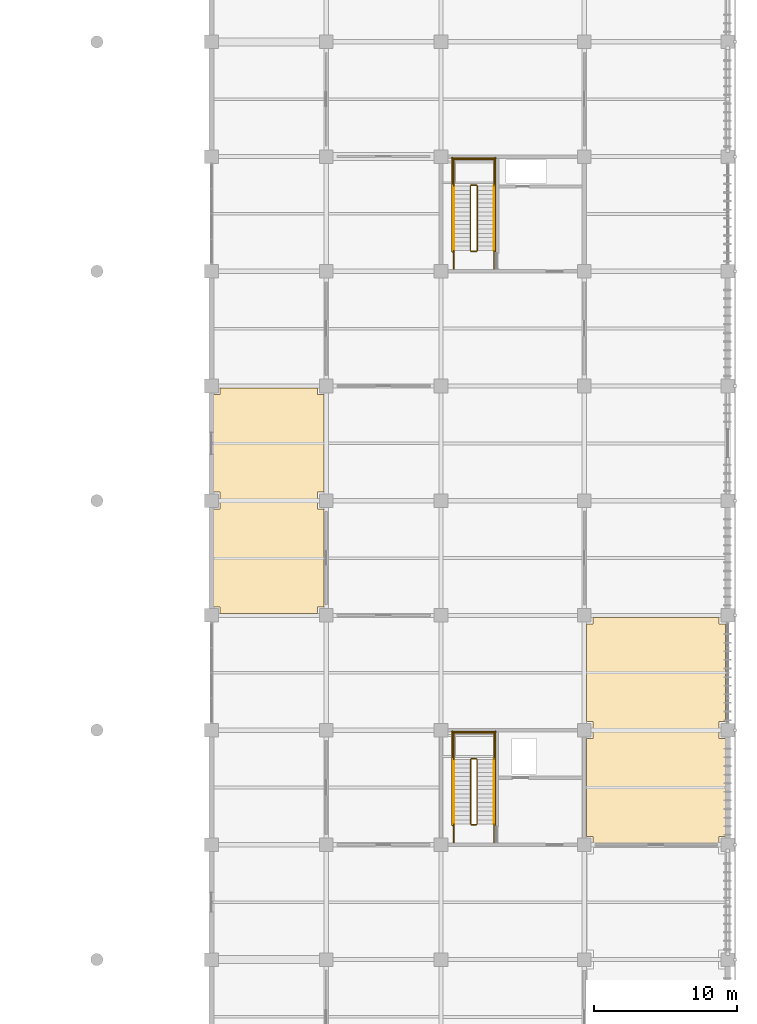
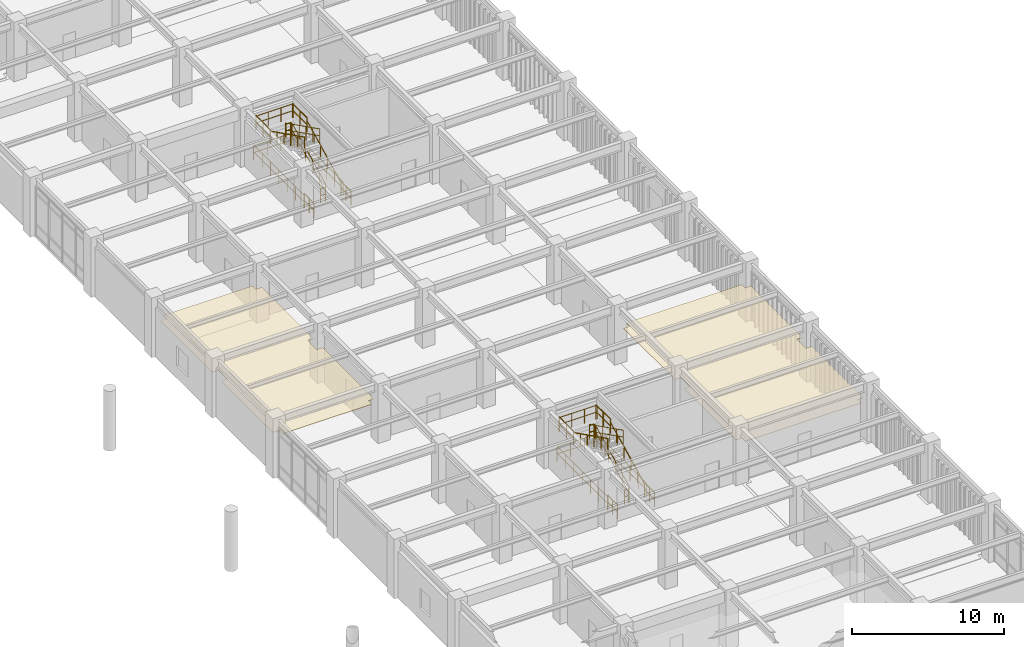
# One storey, part 105 of 109: 28 railings, 2 coverings.
"""IFC4 building model written with IfcOpenShell, lengths in metres."""

from ifc_helpers import new_model, si_unit, direction, frame, origin, origin_2d, place, context, subcontext, project, spatial, polyline, circle, outline, extrude, material, layer, layer_set, type_object, element, save


model = new_model("IFC4")

# Units and contexts
model_context = context("Model", 3, precision=1e-05, world=origin(), true_north=direction((0.0, 1.0)))
body_context = subcontext(model_context, "Body", "Model", "MODEL_VIEW")
ifc_project = project(units=[si_unit("LENGTHUNIT", "METRE"), si_unit("AREAUNIT", "SQUARE_METRE"), si_unit("VOLUMEUNIT", "CUBIC_METRE"), si_unit("PLANEANGLEUNIT", "RADIAN"), si_unit("MASSUNIT", "GRAM", prefix="KILO")], contexts=[model_context])

# Site, building, storey
site_placement = place(None, origin())
site = spatial("IfcSite", under=ifc_project, at=site_placement, CompositionType="ELEMENT")
building_placement = place(site_placement, origin())
building = spatial("IfcBuilding", under=site, at=building_placement, Name="Haebicheon Civic Stadium", CompositionType="ELEMENT")
storey_placement = place(building_placement, frame((0.0, 0.0, 9.60009765625)))
storey = spatial("IfcBuildingStorey", under=building, at=storey_placement, Name="L03", CompositionType="ELEMENT", Elevation=9.60009765625)

# Coverings
ifc_material_1 = material(Name="Perforated mineral-fibre acoustic board", Category="gypsum")
ifc_layer = layer(ifc_material_1, 0.0400390625, Name="Perforated mineral-fibre acoustic board")
ifc_layer_set = layer_set([ifc_layer], Name="Perforated mineral-fibre acoustic board")
covering_type = type_object("IfcCoveringType", Name="COV-CLG-AC", PredefinedType="CEILING", material=ifc_layer_set)
covering_1_placement = place(storey_placement, frame((0.0, 0.0, 2.809814453125)))
element("IfcCovering", 1, at=covering_1_placement, inside=storey, type_object=covering_type, material=ifc_layer_set, Name="L03 Sports Medicine Rehabilitation Clinic acoustic ceiling", PredefinedType="CEILING", context=body_context, shape_type="SweptSolid", body=[
    extrude(outline(polyline([(200.594970703125, 80.14501953125), (200.594970703125, 80.594970703125), (200.14501953125, 80.594970703125), (200.14501953125, 87.405029296875), (200.594970703125, 87.405029296875), (200.594970703125, 88.594970703125), (200.14501953125, 88.594970703125), (200.14501953125, 95.405029296875), (200.594970703125, 95.405029296875), (200.594970703125, 95.85498046875), (207.405029296875, 95.85498046875), (207.405029296875, 95.405029296875), (207.85498046875, 95.405029296875), (207.85498046875, 88.594970703125), (207.405029296875, 88.594970703125), (207.405029296875, 87.405029296875), (207.85498046875, 87.405029296875), (207.85498046875, 80.594970703125), (207.405029296875, 80.594970703125), (207.405029296875, 80.14501953125), (200.594970703125, 80.14501953125)])), origin(), (0.0, 0.0, 1.0), 0.0400390625),
])
covering_2_placement = place(storey_placement, frame((0.0, 0.0, 2.809814453125)))
element("IfcCovering", 2, at=covering_2_placement, inside=storey, type_object=covering_type, material=ifc_layer_set, Name="L03 Youth Sports Classroom acoustic ceiling", PredefinedType="CEILING", context=body_context, shape_type="SweptSolid", body=[
    extrude(outline(polyline([(226.594970703125, 64.14501953125), (226.594970703125, 64.594970703125), (226.14501953125, 64.594970703125), (226.14501953125, 71.405029296875), (226.594970703125, 71.405029296875), (226.594970703125, 72.594970703125), (226.14501953125, 72.594970703125), (226.14501953125, 79.405029296875), (226.594970703125, 79.405029296875), (226.594970703125, 79.85498046875), (235.405029296875, 79.85498046875), (235.405029296875, 79.405029296875), (235.85498046875, 79.405029296875), (235.85498046875, 72.594970703125), (235.405029296875, 72.594970703125), (235.405029296875, 71.405029296875), (235.85498046875, 71.405029296875), (235.85498046875, 64.594970703125), (235.405029296875, 64.594970703125), (235.405029296875, 64.14501953125), (226.594970703125, 64.14501953125)])), origin(), (0.0, 0.0, 1.0), 0.0400390625),
])

# Railings
ifc_material_2 = material(Name="Galvanised painted steel SM355", Category="steel")
railing_type_1 = type_object("IfcRailingType", Name="RL-GRD-1150", PredefinedType="GUARDRAIL", material=ifc_material_2)
railing_1_placement = place(storey_placement, frame((218.510009765625, 65.449951171875, 0.14990234375)))
element("IfcRailing", 3, at=railing_1_placement, inside=storey, type_object=railing_type_1, material=ifc_material_2, Name="L03 ST-12 stair guard 1", PredefinedType="GUARDRAIL", context=body_context, shape_type="SweptSolid", body=[
    extrude(circle(Radius=0.02392578125, at=origin_2d()), frame((0.0, 0.0, 1.1259765625), z_axis=(0.0, 0.894427191, 0.4472135955), x_axis=(-1.0, 0.0, 0.0)), (0.0, 0.0, 1.0), 5.03125),
    extrude(circle(Radius=0.02392578125, at=origin_2d()), frame((0.0, 0.0, 0.574951171875), z_axis=(0.0, 0.894427191, 0.4472135955), x_axis=(-1.0, 0.0, 0.0)), (0.0, 0.0, 1.0), 5.03125),
    extrude(circle(Radius=0.02099609375, at=origin_2d()), origin(), (0.0, 0.0, 1.0), 1.101806640625),
    extrude(circle(Radius=0.02099609375, at=origin_2d()), frame((0.0, 0.89990234375, 0.449951171875)), (0.0, 0.0, 1.0), 1.101806640625),
    extrude(circle(Radius=0.02099609375, at=origin_2d()), frame((0.0, 1.800048828125, 0.89990234375)), (0.0, 0.0, 1.0), 1.101806640625),
    extrude(circle(Radius=0.02099609375, at=origin_2d()), frame((0.0, 2.699951171875, 1.35009765625)), (0.0, 0.0, 1.0), 1.101806640625),
    extrude(circle(Radius=0.02099609375, at=origin_2d()), frame((0.0, 3.60009765625, 1.800048828125)), (0.0, 0.0, 1.0), 1.101806640625),
    extrude(circle(Radius=0.02099609375, at=origin_2d()), frame((0.0, 4.5, 2.25)), (0.0, 0.0, 1.0), 1.101806640625),
])
railing_2_placement = place(storey_placement, frame((218.4599609375, 70.0, 2.39990234375)))
element("IfcRailing", 4, at=railing_2_placement, inside=storey, type_object=railing_type_1, material=ifc_material_2, Name="L03 ST-12 stair guard 2", PredefinedType="GUARDRAIL", context=body_context, shape_type="SweptSolid", body=[
    extrude(circle(Radius=0.02392578125, at=origin_2d()), frame((0.0, 0.0, 1.1259765625), z_axis=(-1.0, 0.0, 0.0), x_axis=(0.0, -1.0, 0.0)), (0.0, 0.0, 1.0), 0.33984375),
    extrude(circle(Radius=0.02392578125, at=origin_2d()), frame((0.0, 0.0, 0.574951171875), z_axis=(-1.0, 0.0, 0.0), x_axis=(0.0, -1.0, 0.0)), (0.0, 0.0, 1.0), 0.33984375),
    extrude(circle(Radius=0.02099609375, at=origin_2d()), origin(), (0.0, 0.0, 1.0), 1.101806640625),
    extrude(circle(Radius=0.02099609375, at=origin_2d()), frame((-0.33984375, 0.0, 0.0)), (0.0, 0.0, 1.0), 1.101806640625),
])
for number, where, name in (
    (5, (219.68994140625, 69.949951171875, 2.39990234375), "L03 ST-12 stair guard 3"),
    (6, (216.889892578125, 69.949951171875, 2.39990234375), "L03 ST-12 stair guard 4"),
):
    element("IfcRailing", number, at=place(storey_placement, frame(where)), inside=storey, type_object=railing_type_1, material=ifc_material_2, Name=name, PredefinedType="GUARDRAIL", context=body_context, shape_type="SweptSolid", body=[
        extrude(circle(Radius=0.02392578125, at=origin_2d()), frame((0.0, 0.0, 1.1259765625), z_axis=(0.0, 1.0, 0.0), x_axis=(-1.0, 0.0, 0.0)), (0.0, 0.0, 1.0), 1.89013671875),
        extrude(circle(Radius=0.02392578125, at=origin_2d()), frame((0.0, 0.0, 0.574951171875), z_axis=(0.0, 1.0, 0.0), x_axis=(-1.0, 0.0, 0.0)), (0.0, 0.0, 1.0), 1.89013671875),
        extrude(circle(Radius=0.02099609375, at=origin_2d()), origin(), (0.0, 0.0, 1.0), 1.101806640625),
        extrude(circle(Radius=0.02099609375, at=origin_2d()), frame((0.0, 0.945068359375, 0.0)), (0.0, 0.0, 1.0), 1.101806640625),
        extrude(circle(Radius=0.02099609375, at=origin_2d()), frame((0.0, 1.89013671875, 0.0)), (0.0, 0.0, 1.0), 1.101806640625),
    ])
railing_3_placement = place(storey_placement, frame((219.739990234375, 71.7900390625, 2.39990234375)))
element("IfcRailing", 7, at=railing_3_placement, inside=storey, type_object=railing_type_1, material=ifc_material_2, Name="L03 ST-12 stair guard 5", PredefinedType="GUARDRAIL", context=body_context, shape_type="SweptSolid", body=[
    extrude(circle(Radius=0.02392578125, at=origin_2d()), frame((0.0, 0.0, 1.1259765625), z_axis=(-1.0, 0.0, 0.0), x_axis=(0.0, -1.0, 0.0)), (0.0, 0.0, 1.0), 2.89990234375),
    extrude(circle(Radius=0.02392578125, at=origin_2d()), frame((0.0, 0.0, 0.574951171875), z_axis=(-1.0, 0.0, 0.0), x_axis=(0.0, -1.0, 0.0)), (0.0, 0.0, 1.0), 2.89990234375),
    extrude(circle(Radius=0.02099609375, at=origin_2d()), origin(), (0.0, 0.0, 1.0), 1.101806640625),
    extrude(circle(Radius=0.02099609375, at=origin_2d()), frame((-0.966552734375, 0.0, 0.0)), (0.0, 0.0, 1.0), 1.101806640625),
    extrude(circle(Radius=0.02099609375, at=origin_2d()), frame((-1.933349609375, 0.0, 0.0)), (0.0, 0.0, 1.0), 1.101806640625),
    extrude(circle(Radius=0.02099609375, at=origin_2d()), frame((-2.89990234375, 0.0, 0.0)), (0.0, 0.0, 1.0), 1.101806640625),
])
railing_4_placement = place(storey_placement, frame((218.070068359375, 69.949951171875, 2.5498046875)))
element("IfcRailing", 8, at=railing_4_placement, inside=storey, type_object=railing_type_1, material=ifc_material_2, Name="L03 ST-12 stair guard 6", PredefinedType="GUARDRAIL", context=body_context, shape_type="SweptSolid", body=[
    extrude(circle(Radius=0.02392578125, at=origin_2d()), frame((0.0, 0.0, 1.1259765625), z_axis=(0.0, -0.894427191, 0.4472135955), x_axis=(1.0, 0.0, 0.0)), (0.0, 0.0, 1.0), 5.03125),
    extrude(circle(Radius=0.02392578125, at=origin_2d()), frame((0.0, 0.0, 0.574951171875), z_axis=(0.0, -0.894427191, 0.4472135955), x_axis=(1.0, 0.0, 0.0)), (0.0, 0.0, 1.0), 5.03125),
    extrude(circle(Radius=0.02099609375, at=origin_2d()), origin(), (0.0, 0.0, 1.0), 1.101806640625),
    extrude(circle(Radius=0.02099609375, at=origin_2d()), frame((0.0, -0.89990234375, 0.449951171875)), (0.0, 0.0, 1.0), 1.101806640625),
    extrude(circle(Radius=0.02099609375, at=origin_2d()), frame((0.0, -1.800048828125, 0.89990234375)), (0.0, 0.0, 1.0), 1.101806640625),
    extrude(circle(Radius=0.02099609375, at=origin_2d()), frame((0.0, -2.699951171875, 1.35009765625)), (0.0, 0.0, 1.0), 1.101806640625),
    extrude(circle(Radius=0.02099609375, at=origin_2d()), frame((0.0, -3.60009765625, 1.800048828125)), (0.0, 0.0, 1.0), 1.101806640625),
    extrude(circle(Radius=0.02099609375, at=origin_2d()), frame((0.0, -4.5, 2.25)), (0.0, 0.0, 1.0), 1.101806640625),
])
railing_5_placement = place(storey_placement, frame((218.4599609375, 65.39990234375, 0.0)))
element("IfcRailing", 9, at=railing_5_placement, inside=storey, type_object=railing_type_1, material=ifc_material_2, Name="L03 ST-12 stair guard 7", PredefinedType="GUARDRAIL", context=body_context, shape_type="SweptSolid", body=[
    extrude(circle(Radius=0.02392578125, at=origin_2d()), frame((0.0, 0.0, 1.1259765625), z_axis=(-1.0, 0.0, 0.0), x_axis=(0.0, -1.0, 0.0)), (0.0, 0.0, 1.0), 0.33984375),
    extrude(circle(Radius=0.02392578125, at=origin_2d()), frame((0.0, 0.0, 0.574951171875), z_axis=(-1.0, 0.0, 0.0), x_axis=(0.0, -1.0, 0.0)), (0.0, 0.0, 1.0), 0.33984375),
    extrude(circle(Radius=0.02099609375, at=origin_2d()), origin(), (0.0, 0.0, 1.0), 1.101806640625),
    extrude(circle(Radius=0.02099609375, at=origin_2d()), frame((-0.33984375, 0.0, 0.0)), (0.0, 0.0, 1.0), 1.101806640625),
])
for number, where, name in (
    (10, (219.68994140625, 64.159912109375, 0.0), "L03 ST-12 stair guard 8"),
    (11, (216.889892578125, 64.159912109375, 0.0), "L03 ST-12 stair guard 9"),
):
    element("IfcRailing", number, at=place(storey_placement, frame(where)), inside=storey, type_object=railing_type_1, material=ifc_material_2, Name=name, PredefinedType="GUARDRAIL", context=body_context, shape_type="SweptSolid", body=[
        extrude(circle(Radius=0.02392578125, at=origin_2d()), frame((0.0, 0.0, 1.1259765625), z_axis=(0.0, 1.0, 0.0), x_axis=(-1.0, 0.0, 0.0)), (0.0, 0.0, 1.0), 1.2900390625),
        extrude(circle(Radius=0.02392578125, at=origin_2d()), frame((0.0, 0.0, 0.574951171875), z_axis=(0.0, 1.0, 0.0), x_axis=(-1.0, 0.0, 0.0)), (0.0, 0.0, 1.0), 1.2900390625),
        extrude(circle(Radius=0.02099609375, at=origin_2d()), origin(), (0.0, 0.0, 1.0), 1.101806640625),
        extrude(circle(Radius=0.02099609375, at=origin_2d()), frame((0.0, 0.64501953125, 0.0)), (0.0, 0.0, 1.0), 1.101806640625),
        extrude(circle(Radius=0.02099609375, at=origin_2d()), frame((0.0, 1.2900390625, 0.0)), (0.0, 0.0, 1.0), 1.101806640625),
    ])
for number, where, name in (
    (12, (219.7900390625, 65.35009765625, 0.0), "L03 ST-12 stair guard 10"),
    (13, (216.7900390625, 65.35009765625, 0.0), "L03 ST-12 stair guard 11"),
):
    element("IfcRailing", number, at=place(storey_placement, frame(where)), inside=storey, type_object=railing_type_1, material=ifc_material_2, Name=name, PredefinedType="GUARDRAIL", context=body_context, shape_type="SweptSolid", body=[
        extrude(circle(Radius=0.02392578125, at=origin_2d()), frame((0.0, 0.0, 1.1259765625), z_axis=(0.0, 1.0, 0.0), x_axis=(-1.0, 0.0, 0.0)), (0.0, 0.0, 1.0), 6.58984375),
        extrude(circle(Radius=0.02392578125, at=origin_2d()), frame((0.0, 0.0, 0.574951171875), z_axis=(0.0, 1.0, 0.0), x_axis=(-1.0, 0.0, 0.0)), (0.0, 0.0, 1.0), 6.58984375),
        extrude(circle(Radius=0.02099609375, at=origin_2d()), origin(), (0.0, 0.0, 1.0), 1.101806640625),
        extrude(circle(Radius=0.02099609375, at=origin_2d()), frame((0.0, 1.098388671875, 0.0)), (0.0, 0.0, 1.0), 1.101806640625),
        extrude(circle(Radius=0.02099609375, at=origin_2d()), frame((0.0, 2.196533203125, 0.0)), (0.0, 0.0, 1.0), 1.101806640625),
        extrude(circle(Radius=0.02099609375, at=origin_2d()), frame((0.0, 3.294921875, 0.0)), (0.0, 0.0, 1.0), 1.101806640625),
        extrude(circle(Radius=0.02099609375, at=origin_2d()), frame((0.0, 4.393310546875, 0.0)), (0.0, 0.0, 1.0), 1.101806640625),
        extrude(circle(Radius=0.02099609375, at=origin_2d()), frame((0.0, 5.491455078125, 0.0)), (0.0, 0.0, 1.0), 1.101806640625),
        extrude(circle(Radius=0.02099609375, at=origin_2d()), frame((0.0, 6.58984375, 0.0)), (0.0, 0.0, 1.0), 1.101806640625),
    ])
railing_6_placement = place(storey_placement, frame((219.840087890625, 71.889892578125, 0.0)))
element("IfcRailing", 14, at=railing_6_placement, inside=storey, type_object=railing_type_1, material=ifc_material_2, Name="L03 ST-12 stair guard 12", PredefinedType="GUARDRAIL", context=body_context, shape_type="SweptSolid", body=[
    extrude(circle(Radius=0.02392578125, at=origin_2d()), frame((0.0, 0.0, 1.1259765625), z_axis=(-1.0, 0.0, 0.0), x_axis=(0.0, -1.0, 0.0)), (0.0, 0.0, 1.0), 3.10009765625),
    extrude(circle(Radius=0.02392578125, at=origin_2d()), frame((0.0, 0.0, 0.574951171875), z_axis=(-1.0, 0.0, 0.0), x_axis=(0.0, -1.0, 0.0)), (0.0, 0.0, 1.0), 3.10009765625),
    extrude(circle(Radius=0.02099609375, at=origin_2d()), origin(), (0.0, 0.0, 1.0), 1.101806640625),
    extrude(circle(Radius=0.02099609375, at=origin_2d()), frame((-1.033447265625, 0.0, 0.0)), (0.0, 0.0, 1.0), 1.101806640625),
    extrude(circle(Radius=0.02099609375, at=origin_2d()), frame((-2.066650390625, 0.0, 0.0)), (0.0, 0.0, 1.0), 1.101806640625),
    extrude(circle(Radius=0.02099609375, at=origin_2d()), frame((-3.10009765625, 0.0, 0.0)), (0.0, 0.0, 1.0), 1.101806640625),
])
railing_7_placement = place(storey_placement, frame((218.530029296875, 105.449951171875, 0.14990234375)))
element("IfcRailing", 15, at=railing_7_placement, inside=storey, type_object=railing_type_1, material=ifc_material_2, Name="L03 ST-13 stair guard 1", PredefinedType="GUARDRAIL", context=body_context, shape_type="SweptSolid", body=[
    extrude(circle(Radius=0.02392578125, at=origin_2d()), frame((0.0, 0.0, 1.1259765625), z_axis=(0.0, 0.894427191, 0.4472135955), x_axis=(-1.0, 0.0, 0.0)), (0.0, 0.0, 1.0), 5.03125),
    extrude(circle(Radius=0.02392578125, at=origin_2d()), frame((0.0, 0.0, 0.574951171875), z_axis=(0.0, 0.894427191, 0.4472135955), x_axis=(-1.0, 0.0, 0.0)), (0.0, 0.0, 1.0), 5.03125),
    extrude(circle(Radius=0.02099609375, at=origin_2d()), origin(), (0.0, 0.0, 1.0), 1.101806640625),
    extrude(circle(Radius=0.02099609375, at=origin_2d()), frame((0.0, 0.89990234375, 0.449951171875)), (0.0, 0.0, 1.0), 1.101806640625),
    extrude(circle(Radius=0.02099609375, at=origin_2d()), frame((0.0, 1.800048828125, 0.89990234375)), (0.0, 0.0, 1.0), 1.101806640625),
    extrude(circle(Radius=0.02099609375, at=origin_2d()), frame((0.0, 2.699951171875, 1.35009765625)), (0.0, 0.0, 1.0), 1.101806640625),
    extrude(circle(Radius=0.02099609375, at=origin_2d()), frame((0.0, 3.60009765625, 1.800048828125)), (0.0, 0.0, 1.0), 1.101806640625),
    extrude(circle(Radius=0.02099609375, at=origin_2d()), frame((0.0, 4.5, 2.25)), (0.0, 0.0, 1.0), 1.101806640625),
])
railing_8_placement = place(storey_placement, frame((218.47998046875, 110.0, 2.39990234375)))
element("IfcRailing", 16, at=railing_8_placement, inside=storey, type_object=railing_type_1, material=ifc_material_2, Name="L03 ST-13 stair guard 2", PredefinedType="GUARDRAIL", context=body_context, shape_type="SweptSolid", body=[
    extrude(circle(Radius=0.02392578125, at=origin_2d()), frame((0.0, 0.0, 1.1259765625), z_axis=(-1.0, 0.0, 0.0), x_axis=(0.0, -1.0, 0.0)), (0.0, 0.0, 1.0), 0.3798828125),
    extrude(circle(Radius=0.02392578125, at=origin_2d()), frame((0.0, 0.0, 0.574951171875), z_axis=(-1.0, 0.0, 0.0), x_axis=(0.0, -1.0, 0.0)), (0.0, 0.0, 1.0), 0.3798828125),
    extrude(circle(Radius=0.02099609375, at=origin_2d()), origin(), (0.0, 0.0, 1.0), 1.101806640625),
    extrude(circle(Radius=0.02099609375, at=origin_2d()), frame((-0.3798828125, 0.0, 0.0)), (0.0, 0.0, 1.0), 1.101806640625),
])
for number, where, name in (
    (17, (219.68994140625, 109.949951171875, 2.39990234375), "L03 ST-13 stair guard 3"),
    (18, (216.889892578125, 109.949951171875, 2.39990234375), "L03 ST-13 stair guard 4"),
):
    element("IfcRailing", number, at=place(storey_placement, frame(where)), inside=storey, type_object=railing_type_1, material=ifc_material_2, Name=name, PredefinedType="GUARDRAIL", context=body_context, shape_type="SweptSolid", body=[
        extrude(circle(Radius=0.02392578125, at=origin_2d()), frame((0.0, 0.0, 1.1259765625), z_axis=(0.0, 1.0, 0.0), x_axis=(-1.0, 0.0, 0.0)), (0.0, 0.0, 1.0), 1.89013671875),
        extrude(circle(Radius=0.02392578125, at=origin_2d()), frame((0.0, 0.0, 0.574951171875), z_axis=(0.0, 1.0, 0.0), x_axis=(-1.0, 0.0, 0.0)), (0.0, 0.0, 1.0), 1.89013671875),
        extrude(circle(Radius=0.02099609375, at=origin_2d()), origin(), (0.0, 0.0, 1.0), 1.101806640625),
        extrude(circle(Radius=0.02099609375, at=origin_2d()), frame((0.0, 0.945068359375, 0.0)), (0.0, 0.0, 1.0), 1.101806640625),
        extrude(circle(Radius=0.02099609375, at=origin_2d()), frame((0.0, 1.89013671875, 0.0)), (0.0, 0.0, 1.0), 1.101806640625),
    ])
railing_9_placement = place(storey_placement, frame((219.739990234375, 111.7900390625, 2.39990234375)))
element("IfcRailing", 19, at=railing_9_placement, inside=storey, type_object=railing_type_1, material=ifc_material_2, Name="L03 ST-13 stair guard 5", PredefinedType="GUARDRAIL", context=body_context, shape_type="SweptSolid", body=[
    extrude(circle(Radius=0.02392578125, at=origin_2d()), frame((0.0, 0.0, 1.1259765625), z_axis=(-1.0, 0.0, 0.0), x_axis=(0.0, -1.0, 0.0)), (0.0, 0.0, 1.0), 2.89990234375),
    extrude(circle(Radius=0.02392578125, at=origin_2d()), frame((0.0, 0.0, 0.574951171875), z_axis=(-1.0, 0.0, 0.0), x_axis=(0.0, -1.0, 0.0)), (0.0, 0.0, 1.0), 2.89990234375),
    extrude(circle(Radius=0.02099609375, at=origin_2d()), origin(), (0.0, 0.0, 1.0), 1.101806640625),
    extrude(circle(Radius=0.02099609375, at=origin_2d()), frame((-0.966552734375, 0.0, 0.0)), (0.0, 0.0, 1.0), 1.101806640625),
    extrude(circle(Radius=0.02099609375, at=origin_2d()), frame((-1.933349609375, 0.0, 0.0)), (0.0, 0.0, 1.0), 1.101806640625),
    extrude(circle(Radius=0.02099609375, at=origin_2d()), frame((-2.89990234375, 0.0, 0.0)), (0.0, 0.0, 1.0), 1.101806640625),
])
railing_10_placement = place(storey_placement, frame((218.050048828125, 109.949951171875, 2.5498046875)))
element("IfcRailing", 20, at=railing_10_placement, inside=storey, type_object=railing_type_1, material=ifc_material_2, Name="L03 ST-13 stair guard 6", PredefinedType="GUARDRAIL", context=body_context, shape_type="SweptSolid", body=[
    extrude(circle(Radius=0.02392578125, at=origin_2d()), frame((0.0, 0.0, 1.1259765625), z_axis=(0.0, -0.894427191, 0.4472135955), x_axis=(1.0, 0.0, 0.0)), (0.0, 0.0, 1.0), 5.03125),
    extrude(circle(Radius=0.02392578125, at=origin_2d()), frame((0.0, 0.0, 0.574951171875), z_axis=(0.0, -0.894427191, 0.4472135955), x_axis=(1.0, 0.0, 0.0)), (0.0, 0.0, 1.0), 5.03125),
    extrude(circle(Radius=0.02099609375, at=origin_2d()), origin(), (0.0, 0.0, 1.0), 1.101806640625),
    extrude(circle(Radius=0.02099609375, at=origin_2d()), frame((0.0, -0.89990234375, 0.449951171875)), (0.0, 0.0, 1.0), 1.101806640625),
    extrude(circle(Radius=0.02099609375, at=origin_2d()), frame((0.0, -1.800048828125, 0.89990234375)), (0.0, 0.0, 1.0), 1.101806640625),
    extrude(circle(Radius=0.02099609375, at=origin_2d()), frame((0.0, -2.699951171875, 1.35009765625)), (0.0, 0.0, 1.0), 1.101806640625),
    extrude(circle(Radius=0.02099609375, at=origin_2d()), frame((0.0, -3.60009765625, 1.800048828125)), (0.0, 0.0, 1.0), 1.101806640625),
    extrude(circle(Radius=0.02099609375, at=origin_2d()), frame((0.0, -4.5, 2.25)), (0.0, 0.0, 1.0), 1.101806640625),
])
railing_11_placement = place(storey_placement, frame((218.47998046875, 105.39990234375, 0.0)))
element("IfcRailing", 21, at=railing_11_placement, inside=storey, type_object=railing_type_1, material=ifc_material_2, Name="L03 ST-13 stair guard 7", PredefinedType="GUARDRAIL", context=body_context, shape_type="SweptSolid", body=[
    extrude(circle(Radius=0.02392578125, at=origin_2d()), frame((0.0, 0.0, 1.1259765625), z_axis=(-1.0, 0.0, 0.0), x_axis=(0.0, -1.0, 0.0)), (0.0, 0.0, 1.0), 0.3798828125),
    extrude(circle(Radius=0.02392578125, at=origin_2d()), frame((0.0, 0.0, 0.574951171875), z_axis=(-1.0, 0.0, 0.0), x_axis=(0.0, -1.0, 0.0)), (0.0, 0.0, 1.0), 0.3798828125),
    extrude(circle(Radius=0.02099609375, at=origin_2d()), origin(), (0.0, 0.0, 1.0), 1.101806640625),
    extrude(circle(Radius=0.02099609375, at=origin_2d()), frame((-0.3798828125, 0.0, 0.0)), (0.0, 0.0, 1.0), 1.101806640625),
])
for number, where, name in (
    (22, (219.68994140625, 104.159912109375, 0.0), "L03 ST-13 stair guard 8"),
    (23, (216.889892578125, 104.159912109375, 0.0), "L03 ST-13 stair guard 9"),
):
    element("IfcRailing", number, at=place(storey_placement, frame(where)), inside=storey, type_object=railing_type_1, material=ifc_material_2, Name=name, PredefinedType="GUARDRAIL", context=body_context, shape_type="SweptSolid", body=[
        extrude(circle(Radius=0.02392578125, at=origin_2d()), frame((0.0, 0.0, 1.1259765625), z_axis=(0.0, 1.0, 0.0), x_axis=(-1.0, 0.0, 0.0)), (0.0, 0.0, 1.0), 1.2900390625),
        extrude(circle(Radius=0.02392578125, at=origin_2d()), frame((0.0, 0.0, 0.574951171875), z_axis=(0.0, 1.0, 0.0), x_axis=(-1.0, 0.0, 0.0)), (0.0, 0.0, 1.0), 1.2900390625),
        extrude(circle(Radius=0.02099609375, at=origin_2d()), origin(), (0.0, 0.0, 1.0), 1.101806640625),
        extrude(circle(Radius=0.02099609375, at=origin_2d()), frame((0.0, 0.64501953125, 0.0)), (0.0, 0.0, 1.0), 1.101806640625),
        extrude(circle(Radius=0.02099609375, at=origin_2d()), frame((0.0, 1.2900390625, 0.0)), (0.0, 0.0, 1.0), 1.101806640625),
    ])
for number, where, name in (
    (24, (219.7900390625, 105.35009765625, 0.0), "L03 ST-13 stair guard 10"),
    (25, (216.7900390625, 105.35009765625, 0.0), "L03 ST-13 stair guard 11"),
):
    element("IfcRailing", number, at=place(storey_placement, frame(where)), inside=storey, type_object=railing_type_1, material=ifc_material_2, Name=name, PredefinedType="GUARDRAIL", context=body_context, shape_type="SweptSolid", body=[
        extrude(circle(Radius=0.02392578125, at=origin_2d()), frame((0.0, 0.0, 1.1259765625), z_axis=(0.0, 1.0, 0.0), x_axis=(-1.0, 0.0, 0.0)), (0.0, 0.0, 1.0), 6.58984375),
        extrude(circle(Radius=0.02392578125, at=origin_2d()), frame((0.0, 0.0, 0.574951171875), z_axis=(0.0, 1.0, 0.0), x_axis=(-1.0, 0.0, 0.0)), (0.0, 0.0, 1.0), 6.58984375),
        extrude(circle(Radius=0.02099609375, at=origin_2d()), origin(), (0.0, 0.0, 1.0), 1.101806640625),
        extrude(circle(Radius=0.02099609375, at=origin_2d()), frame((0.0, 1.098388671875, 0.0)), (0.0, 0.0, 1.0), 1.101806640625),
        extrude(circle(Radius=0.02099609375, at=origin_2d()), frame((0.0, 2.196533203125, 0.0)), (0.0, 0.0, 1.0), 1.101806640625),
        extrude(circle(Radius=0.02099609375, at=origin_2d()), frame((0.0, 3.294921875, 0.0)), (0.0, 0.0, 1.0), 1.101806640625),
        extrude(circle(Radius=0.02099609375, at=origin_2d()), frame((0.0, 4.393310546875, 0.0)), (0.0, 0.0, 1.0), 1.101806640625),
        extrude(circle(Radius=0.02099609375, at=origin_2d()), frame((0.0, 5.491455078125, 0.0)), (0.0, 0.0, 1.0), 1.101806640625),
        extrude(circle(Radius=0.02099609375, at=origin_2d()), frame((0.0, 6.58984375, 0.0)), (0.0, 0.0, 1.0), 1.101806640625),
    ])
railing_12_placement = place(storey_placement, frame((219.840087890625, 111.889892578125, 0.0)))
element("IfcRailing", 26, at=railing_12_placement, inside=storey, type_object=railing_type_1, material=ifc_material_2, Name="L03 ST-13 stair guard 12", PredefinedType="GUARDRAIL", context=body_context, shape_type="SweptSolid", body=[
    extrude(circle(Radius=0.02392578125, at=origin_2d()), frame((0.0, 0.0, 1.1259765625), z_axis=(-1.0, 0.0, 0.0), x_axis=(0.0, -1.0, 0.0)), (0.0, 0.0, 1.0), 3.10009765625),
    extrude(circle(Radius=0.02392578125, at=origin_2d()), frame((0.0, 0.0, 0.574951171875), z_axis=(-1.0, 0.0, 0.0), x_axis=(0.0, -1.0, 0.0)), (0.0, 0.0, 1.0), 3.10009765625),
    extrude(circle(Radius=0.02099609375, at=origin_2d()), origin(), (0.0, 0.0, 1.0), 1.101806640625),
    extrude(circle(Radius=0.02099609375, at=origin_2d()), frame((-1.033447265625, 0.0, 0.0)), (0.0, 0.0, 1.0), 1.101806640625),
    extrude(circle(Radius=0.02099609375, at=origin_2d()), frame((-2.066650390625, 0.0, 0.0)), (0.0, 0.0, 1.0), 1.101806640625),
    extrude(circle(Radius=0.02099609375, at=origin_2d()), frame((-3.10009765625, 0.0, 0.0)), (0.0, 0.0, 1.0), 1.101806640625),
])
ifc_material_3 = material(Name="Stainless steel 316", Category="steel")
railing_type_2 = type_object("IfcRailingType", Name="RL-HND-900", PredefinedType="HANDRAIL", material=ifc_material_3)
railing_13_placement = place(storey_placement, frame((219.68994140625, 65.449951171875, 0.14990234375)))
element("IfcRailing", 27, at=railing_13_placement, inside=storey, type_object=railing_type_2, material=ifc_material_3, Name="L03 ST-12 stair handrail 1", PredefinedType="HANDRAIL", context=body_context, shape_type="SweptSolid", body=[
    extrude(circle(Radius=0.02392578125, at=origin_2d()), frame((0.0, 0.0, 0.8759765625), z_axis=(0.0, 0.894427191, 0.4472135955), x_axis=(-1.0, 0.0, 0.0)), (0.0, 0.0, 1.0), 5.03125),
    extrude(circle(Radius=0.02099609375, at=origin_2d()), origin(), (0.0, 0.0, 1.0), 0.851806640625),
    extrude(circle(Radius=0.02099609375, at=origin_2d()), frame((0.0, 0.89990234375, 0.449951171875)), (0.0, 0.0, 1.0), 0.851806640625),
    extrude(circle(Radius=0.02099609375, at=origin_2d()), frame((0.0, 1.800048828125, 0.89990234375)), (0.0, 0.0, 1.0), 0.851806640625),
    extrude(circle(Radius=0.02099609375, at=origin_2d()), frame((0.0, 2.699951171875, 1.35009765625)), (0.0, 0.0, 1.0), 0.851806640625),
    extrude(circle(Radius=0.02099609375, at=origin_2d()), frame((0.0, 3.60009765625, 1.800048828125)), (0.0, 0.0, 1.0), 0.851806640625),
    extrude(circle(Radius=0.02099609375, at=origin_2d()), frame((0.0, 4.5, 2.25)), (0.0, 0.0, 1.0), 0.851806640625),
])
railing_14_placement = place(storey_placement, frame((216.889892578125, 69.949951171875, 2.5498046875)))
element("IfcRailing", 28, at=railing_14_placement, inside=storey, type_object=railing_type_2, material=ifc_material_3, Name="L03 ST-12 stair handrail 2", PredefinedType="HANDRAIL", context=body_context, shape_type="SweptSolid", body=[
    extrude(circle(Radius=0.02392578125, at=origin_2d()), frame((0.0, 0.0, 0.8759765625), z_axis=(0.0, -0.894427191, 0.4472135955), x_axis=(1.0, 0.0, 0.0)), (0.0, 0.0, 1.0), 5.03125),
    extrude(circle(Radius=0.02099609375, at=origin_2d()), origin(), (0.0, 0.0, 1.0), 0.851806640625),
    extrude(circle(Radius=0.02099609375, at=origin_2d()), frame((0.0, -0.89990234375, 0.449951171875)), (0.0, 0.0, 1.0), 0.851806640625),
    extrude(circle(Radius=0.02099609375, at=origin_2d()), frame((0.0, -1.800048828125, 0.89990234375)), (0.0, 0.0, 1.0), 0.851806640625),
    extrude(circle(Radius=0.02099609375, at=origin_2d()), frame((0.0, -2.699951171875, 1.35009765625)), (0.0, 0.0, 1.0), 0.851806640625),
    extrude(circle(Radius=0.02099609375, at=origin_2d()), frame((0.0, -3.60009765625, 1.800048828125)), (0.0, 0.0, 1.0), 0.851806640625),
    extrude(circle(Radius=0.02099609375, at=origin_2d()), frame((0.0, -4.5, 2.25)), (0.0, 0.0, 1.0), 0.851806640625),
])
railing_15_placement = place(storey_placement, frame((219.68994140625, 105.449951171875, 0.14990234375)))
element("IfcRailing", 29, at=railing_15_placement, inside=storey, type_object=railing_type_2, material=ifc_material_3, Name="L03 ST-13 stair handrail 1", PredefinedType="HANDRAIL", context=body_context, shape_type="SweptSolid", body=[
    extrude(circle(Radius=0.02392578125, at=origin_2d()), frame((0.0, 0.0, 0.8759765625), z_axis=(0.0, 0.894427191, 0.4472135955), x_axis=(-1.0, 0.0, 0.0)), (0.0, 0.0, 1.0), 5.03125),
    extrude(circle(Radius=0.02099609375, at=origin_2d()), origin(), (0.0, 0.0, 1.0), 0.851806640625),
    extrude(circle(Radius=0.02099609375, at=origin_2d()), frame((0.0, 0.89990234375, 0.449951171875)), (0.0, 0.0, 1.0), 0.851806640625),
    extrude(circle(Radius=0.02099609375, at=origin_2d()), frame((0.0, 1.800048828125, 0.89990234375)), (0.0, 0.0, 1.0), 0.851806640625),
    extrude(circle(Radius=0.02099609375, at=origin_2d()), frame((0.0, 2.699951171875, 1.35009765625)), (0.0, 0.0, 1.0), 0.851806640625),
    extrude(circle(Radius=0.02099609375, at=origin_2d()), frame((0.0, 3.60009765625, 1.800048828125)), (0.0, 0.0, 1.0), 0.851806640625),
    extrude(circle(Radius=0.02099609375, at=origin_2d()), frame((0.0, 4.5, 2.25)), (0.0, 0.0, 1.0), 0.851806640625),
])
railing_16_placement = place(storey_placement, frame((216.889892578125, 109.949951171875, 2.5498046875)))
element("IfcRailing", 30, at=railing_16_placement, inside=storey, type_object=railing_type_2, material=ifc_material_3, Name="L03 ST-13 stair handrail 2", PredefinedType="HANDRAIL", context=body_context, shape_type="SweptSolid", body=[
    extrude(circle(Radius=0.02392578125, at=origin_2d()), frame((0.0, 0.0, 0.8759765625), z_axis=(0.0, -0.894427191, 0.4472135955), x_axis=(1.0, 0.0, 0.0)), (0.0, 0.0, 1.0), 5.03125),
    extrude(circle(Radius=0.02099609375, at=origin_2d()), origin(), (0.0, 0.0, 1.0), 0.851806640625),
    extrude(circle(Radius=0.02099609375, at=origin_2d()), frame((0.0, -0.89990234375, 0.449951171875)), (0.0, 0.0, 1.0), 0.851806640625),
    extrude(circle(Radius=0.02099609375, at=origin_2d()), frame((0.0, -1.800048828125, 0.89990234375)), (0.0, 0.0, 1.0), 0.851806640625),
    extrude(circle(Radius=0.02099609375, at=origin_2d()), frame((0.0, -2.699951171875, 1.35009765625)), (0.0, 0.0, 1.0), 0.851806640625),
    extrude(circle(Radius=0.02099609375, at=origin_2d()), frame((0.0, -3.60009765625, 1.800048828125)), (0.0, 0.0, 1.0), 0.851806640625),
    extrude(circle(Radius=0.02099609375, at=origin_2d()), frame((0.0, -4.5, 2.25)), (0.0, 0.0, 1.0), 0.851806640625),
])

save(model, "model.ifc")
